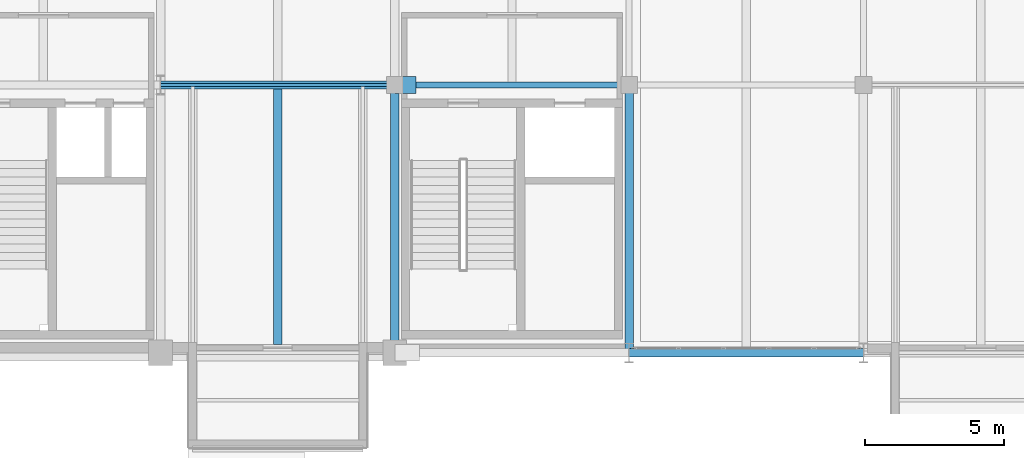
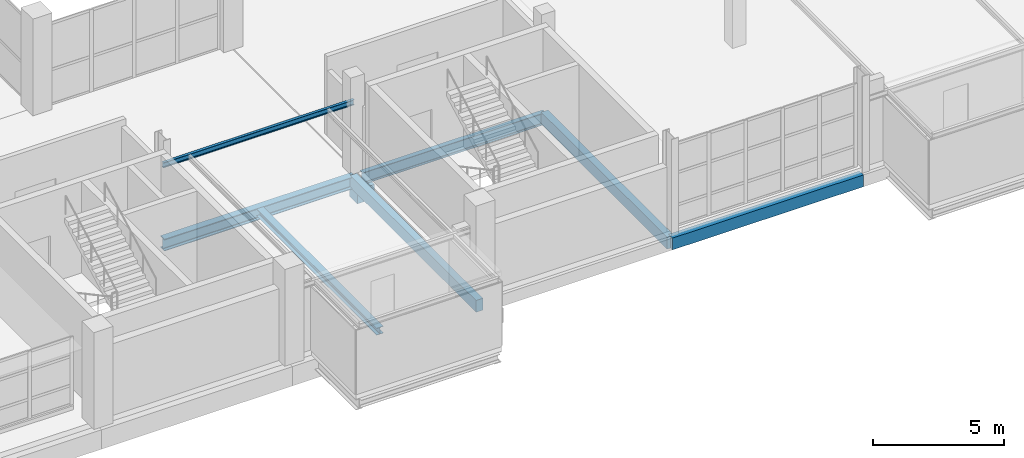
# One storey, part 33 of 113: 8 beams.
"""IFC4 building model written with IfcOpenShell, lengths in metres."""

import ifcopenshell
import ifcopenshell.guid

model = None  # the IFC model being written
_history = None  # IfcOwnerHistory: only IFC2X3 demands one
_inside = {}  # id of a spatial element -> (the spatial element, [elements in it])
_under = {}  # id of a project, library or spatial element -> (it, [spatial elements below it])
_declared = {}  # id of a project -> (the project, [libraries it declares])
_typed = {}  # id of a type object -> (the type object, [elements of that type])
_made_of = {}  # id of a material, layer set ... -> (it, [elements and type objects made of it])


def new_model(schema):
    """Start an empty IFC model of exactly this schema.

    Asked for "IFC4X3", IfcOpenShell would pick the latest addendum, in which some entities
    have other attributes; the version numbers below select the first issue.
    IFC2X3 requires an IfcOwnerHistory on every rooted entity: one is made here for all.
    """
    global model, _history
    if schema == "IFC4X3":
        model = ifcopenshell.file(schema_version=(4, 3, 0, 0))
    else:
        model = ifcopenshell.file(schema=schema)
    _inside.clear()
    _under.clear()
    _declared.clear()
    _typed.clear()
    _made_of.clear()
    _history = None
    if model.schema == "IFC2X3":
        org = make("IfcOrganization", Name="unknown")
        user = make(
            "IfcPersonAndOrganization",
            ThePerson=make("IfcPerson", FamilyName="unknown"),
            TheOrganization=org,
        )
        app = make(
            "IfcApplication",
            ApplicationDeveloper=org,
            Version="unknown",
            ApplicationFullName="unknown",
            ApplicationIdentifier="unknown",
        )
        _history = make(
            "IfcOwnerHistory",
            OwningUser=user,
            OwningApplication=app,
            ChangeAction="ADDED",
            CreationDate=0,
        )
    return model


def make(cls, **values):
    """One entity of the class cls with the attributes given. An attribute that is None is left unset."""
    return model.create_entity(
        cls, **{name: value for name, value in values.items() if value is not None}
    )


def rooted(cls, **values):
    """An entity with a GlobalId (a new one), such as an element, a storey or a relation."""
    return make(cls, GlobalId=ifcopenshell.guid.new(), OwnerHistory=_history, **values)


def si_unit(unit_type, name, prefix=None):
    """IfcSIUnit, for example si_unit("LENGTHUNIT", "METRE", prefix="MILLI")."""
    return make("IfcSIUnit", UnitType=unit_type, Prefix=prefix, Name=name)


def assignment(units):
    """IfcUnitAssignment: the units of a project."""
    return None if units is None else make("IfcUnitAssignment", Units=units)


def point(xyz):
    """IfcCartesianPoint."""
    return None if xyz is None else make("IfcCartesianPoint", Coordinates=xyz)


def direction(xyz):
    """IfcDirection."""
    return None if xyz is None else make("IfcDirection", DirectionRatios=xyz)


def frame(location, z_axis=None, x_axis=None):
    """IfcAxis2Placement3D, a coordinate frame: its origin and axes. An axis left out is left unset."""
    return make(
        "IfcAxis2Placement3D",
        Location=point(location),
        Axis=direction(z_axis),
        RefDirection=direction(x_axis),
    )


def frame_2d(location, x_axis=None):
    """IfcAxis2Placement2D, a coordinate frame in the plane: its origin and x axis."""
    return make(
        "IfcAxis2Placement2D", Location=point(location), RefDirection=direction(x_axis)
    )


def origin():
    """The frame at (0, 0, 0) with its axes left unset."""
    return frame((0.0, 0.0, 0.0))


def origin_2d():
    """The frame at (0, 0) in the plane with its x axis left unset."""
    return frame_2d((0.0, 0.0))


def place(relative_to, where):
    """IfcLocalPlacement: puts the frame where relative to a parent placement (None: the world)."""
    return make(
        "IfcLocalPlacement", PlacementRelTo=relative_to, RelativePlacement=where
    )


def context(
    kind, dimensions, precision=None, world=None, true_north=None, identifier=None
):
    """IfcGeometricRepresentationContext, for example the 3D "Model" context."""
    return make(
        "IfcGeometricRepresentationContext",
        ContextIdentifier=identifier,
        ContextType=kind,
        CoordinateSpaceDimension=dimensions,
        Precision=precision,
        WorldCoordinateSystem=world,
        TrueNorth=true_north,
    )


def subcontext(parent, identifier, kind, view, scale=None):
    """IfcGeometricRepresentationSubContext, for example "Body" below "Model"."""
    return make(
        "IfcGeometricRepresentationSubContext",
        ContextIdentifier=identifier,
        ContextType=kind,
        ParentContext=parent,
        TargetScale=scale,
        TargetView=view,
    )


def project(units=None, contexts=None):
    """IfcProject with its units and contexts."""
    return rooted(
        "IfcProject",
        Name="project",
        RepresentationContexts=contexts,
        UnitsInContext=assignment(units),
    )


def spatial(cls, under=None, at=None, **own):
    """A site, building, storey or space (cls), placed at a placement, below another one or the project."""
    s = rooted(cls, ObjectPlacement=at, **own)
    if under is not None:
        _under.setdefault(under.id(), (under, []))[1].append(s)
    return s


def profile(cls, at=None, kind="AREA", **sizes):
    """A parametric profile (cls). Its sizes go by their IFC names, for example OverallWidth=200.0."""
    return make(cls, ProfileType=kind, Position=at, **sizes)


def rectangle(**sizes):
    """IfcRectangleProfileDef."""
    return profile("IfcRectangleProfileDef", **sizes)


def i_section(**sizes):
    """IfcIShapeProfileDef."""
    return profile("IfcIShapeProfileDef", **sizes)


def extrude(swept, where, along, depth):
    """IfcExtrudedAreaSolid: the profile swept, set in the frame where, extruded along a direction by depth."""
    return make(
        "IfcExtrudedAreaSolid",
        SweptArea=swept,
        Position=where,
        ExtrudedDirection=direction(along),
        Depth=depth,
    )


def shape(context_of_items, identifier, shape_type, items):
    """IfcShapeRepresentation: the items that make up one representation, for example the "Body"."""
    return make(
        "IfcShapeRepresentation",
        ContextOfItems=context_of_items,
        RepresentationIdentifier=identifier,
        RepresentationType=shape_type,
        Items=items,
    )


def material(Name=None, Category=None):
    """IfcMaterial."""
    return make("IfcMaterial", Name=Name, Category=Category)


def material_profile(
    of_material, cross_section, Name=None, Category=None, Priority=None
):
    """IfcMaterialProfile: a cross section and its material."""
    return make(
        "IfcMaterialProfile",
        Name=Name,
        Material=of_material,
        Profile=cross_section,
        Priority=Priority,
        Category=Category,
    )


def profile_set(profiles, Name=None, composite=None):
    """IfcMaterialProfileSet."""
    return make(
        "IfcMaterialProfileSet",
        Name=Name,
        MaterialProfiles=profiles,
        CompositeProfile=composite,
    )


def made_of(thing, what):
    """Note that an element or type object is made of a material, layer set ...; save() writes the relation."""
    if what is not None:
        _made_of.setdefault(what.id(), (what, []))[1].append(thing)
    return thing


def type_object(cls, material=None, **own):
    """A type object (cls), such as IfcWallType, which elements share."""
    return made_of(rooted(cls, **own), material)


def element(
    cls,
    number,
    at=None,
    inside=None,
    cuts=None,
    type_object=None,
    material=None,
    context=None,
    identifier="Body",
    shape_type=None,
    held_by="IfcProductDefinitionShape",
    body=None,
    shapes=None,
    **own,
):
    """One element of the class cls, such as IfcWall. Its Tag is "e" and its number.

    at: its placement. inside: the storey or other place that contains it. cuts: it is an
    opening in that element (IfcRelVoidsElement). A single representation is given by context,
    identifier, shape_type and body (its items); several are given by shapes. held_by: the class
    of the entity that holds the representations. save() writes the other relations.
    """
    e = rooted(cls, Tag="e%d" % number, ObjectPlacement=at, **own)
    if body is not None:
        shapes = [shape(context, identifier, shape_type, body)]
    if shapes is not None:
        e.Representation = make(held_by, Representations=shapes)
    if inside is not None:
        _inside.setdefault(inside.id(), (inside, []))[1].append(e)
    if cuts is not None:
        rooted(
            "IfcRelVoidsElement", RelatingBuildingElement=cuts, RelatedOpeningElement=e
        )
    if type_object is not None:
        _typed.setdefault(type_object.id(), (type_object, []))[1].append(e)
    return made_of(e, material)


def aggregate(whole, parts):
    """IfcRelAggregates: a whole, such as a stair, and the parts it consists of."""
    return rooted("IfcRelAggregates", RelatingObject=whole, RelatedObjects=parts)


def save(model, path):
    """Write the relations noted so far, then the file.

    IfcRelAggregates (storeys below a building ...), IfcRelContainedInSpatialStructure (elements
    in a storey), IfcRelDefinesByType, IfcRelAssociatesMaterial and IfcRelDeclares: one each for
    every whole, place, type object, material and project.
    """
    for whole, parts in _under.values():
        aggregate(whole, parts)
    for where, things in _inside.values():
        rooted(
            "IfcRelContainedInSpatialStructure",
            RelatedElements=things,
            RelatingStructure=where,
        )
    for kind, things in _typed.values():
        rooted("IfcRelDefinesByType", RelatedObjects=things, RelatingType=kind)
    for what, things in _made_of.values():
        rooted("IfcRelAssociatesMaterial", RelatedObjects=things, RelatingMaterial=what)
    for by, libraries in _declared.values():
        rooted("IfcRelDeclares", RelatingContext=by, RelatedDefinitions=libraries)
    model.write(path)


model = new_model("IFC4")

# Units and contexts
model_context = context("Model", 3, precision=1e-05, world=origin(), true_north=direction((0.0, 1.0)))
body_context = subcontext(model_context, "Body", "Model", "MODEL_VIEW")
ifc_project = project(units=[si_unit("LENGTHUNIT", "METRE"), si_unit("AREAUNIT", "SQUARE_METRE"), si_unit("VOLUMEUNIT", "CUBIC_METRE"), si_unit("PLANEANGLEUNIT", "RADIAN"), si_unit("MASSUNIT", "GRAM", prefix="KILO")], contexts=[model_context])

# Site, building, storey
site_placement = place(None, origin())
site = spatial("IfcSite", under=ifc_project, at=site_placement, CompositionType="ELEMENT")
building_placement = place(site_placement, origin())
building = spatial("IfcBuilding", under=site, at=building_placement, Name="Veltarok Museum of Natural Sciences", CompositionType="ELEMENT")
storey_placement = place(building_placement, frame((0.0, 0.0, 8.39990234375)))
storey = spatial("IfcBuildingStorey", under=building, at=storey_placement, Name="L01", CompositionType="ELEMENT", Elevation=8.39990234375)

# Beams
ifc_material_1 = material(Name="Steel S355J2", Category="steel")
ifc_material_profile_1 = material_profile(ifc_material_1, i_section(OverallWidth=0.2099609375, OverallDepth=0.550048828125, WebThickness=0.010986328125, FlangeThickness=0.01708984375, FilletRadius=0.02392578125, at=origin_2d()), Name="IPE 550")
ifc_profile_set_1 = profile_set([ifc_material_profile_1], Name="Steel S355J2")
beam_type_1 = type_object("IfcBeamType", Name="Archive Heavy Girder IPE 550", PredefinedType="BEAM", material=ifc_profile_set_1)
beam_1_placement = place(storey_placement, frame((107.550048828125, 9.60009765625, -0.52490234375), z_axis=(1.0, 0.0, 0.0), x_axis=(0.0, 1.0, 0.0)))
element("IfcBeam", 1, at=beam_1_placement, inside=storey, type_object=beam_type_1, Name="Beam BM-G03 L01 13-14/B", PredefinedType="BEAM", context=body_context, shape_type="SweptSolid", body=[
    extrude(i_section(OverallWidth=0.2099609375, OverallDepth=0.550048828125, WebThickness=0.010986328125, FlangeThickness=0.01708984375, FilletRadius=0.02392578125, at=origin_2d()), origin(), (0.0, 0.0, 1.0), 8.050048828125),
])
ifc_material_profile_2 = material_profile(ifc_material_1, i_section(OverallWidth=0.1201171875, OverallDepth=0.239990234375, WebThickness=0.006103515625, FlangeThickness=0.009765625, FilletRadius=0.014892578125, at=origin_2d()), Name="IPE 240")
ifc_profile_set_2 = profile_set([ifc_material_profile_2], Name="Steel S355J2")
beam_type_2 = type_object("IfcBeamType", Name="Cabinet Box Secondary Joist IPE 240", PredefinedType="JOIST", material=ifc_profile_set_2)
beam_2_placement = place(storey_placement, frame((98.800048828125, 9.60009765625, 3.130126953125), z_axis=(1.0, 0.0, 0.0), x_axis=(0.0, 1.0, 0.0)))
element("IfcBeam", 2, at=beam_2_placement, inside=storey, type_object=beam_type_2, Name="Cabinet Roof Tie Beam DB-05-I", PredefinedType="JOIST", context=body_context, shape_type="SweptSolid", body=[
    extrude(i_section(OverallWidth=0.1201171875, OverallDepth=0.239990234375, WebThickness=0.006103515625, FlangeThickness=0.009765625, FilletRadius=0.014892578125, at=origin_2d()), origin(), (0.0, 0.0, 1.0), 8.39990234375),
])
ifc_material_2 = material(Name="Precast concrete C40/50", Category="concrete")
ifc_material_profile_3 = material_profile(ifc_material_2, rectangle(XDim=0.300048828125, YDim=0.550048828125, at=origin_2d()), Name="RC 300x550")
ifc_profile_set_3 = profile_set([ifc_material_profile_3], Name="Precast concrete C40/50")
beam_type_3 = type_object("IfcBeamType", Name="East Wing Precast Spandrel RC 300x550", PredefinedType="SPANDREL", material=ifc_profile_set_3)
beam_3_placement = place(storey_placement, frame((115.60009765625, 0.0, -0.52490234375), z_axis=(1.0, 0.0, 0.0), x_axis=(0.0, 1.0, 0.0)))
element("IfcBeam", 3, at=beam_3_placement, inside=storey, type_object=beam_type_3, Name="Beam BM-SP02 L01 14-15/A", PredefinedType="SPANDREL", context=body_context, shape_type="SweptSolid", body=[
    extrude(rectangle(XDim=0.300048828125, YDim=0.550048828125, at=origin_2d()), origin(), (0.0, 0.0, 1.0), 8.39990234375),
])
for number, where, z_axis, x_axis, name in (
    (4, (107.199951171875, 0.0, -0.52490234375), (0.0, 1.0, 0.0), (-1.0, 0.0, 0.0), "Beam BM-SP02 L01 13/A-B"),
    (5, (115.60009765625, 0.0, -0.52490234375), (0.0, 1.0, 0.0), (-1.0, 0.0, 0.0), "Beam BM-SP02 L01 14/A-B"),
):
    element("IfcBeam", number, at=place(storey_placement, frame(where, z_axis=z_axis, x_axis=x_axis)), inside=storey, type_object=beam_type_3, Name=name, PredefinedType="SPANDREL", context=body_context, shape_type="SweptSolid", body=[
        extrude(rectangle(XDim=0.300048828125, YDim=0.550048828125, at=origin_2d()), origin(), (0.0, 0.0, 1.0), 9.60009765625),
    ])
ifc_material_profile_4 = material_profile(ifc_material_1, i_section(OverallWidth=0.300048828125, OverallDepth=0.330078125, WebThickness=0.009521484375, FlangeThickness=0.0166015625, FilletRadius=0.027099609375, at=origin_2d()), Name="HEA 340")
ifc_profile_set_4 = profile_set([ifc_material_profile_4], Name="Steel S355J2")
beam_type_4 = type_object("IfcBeamType", Name="Exhibition Floor Joist HEA 340", PredefinedType="JOIST", material=ifc_profile_set_4)
beam_4_placement = place(storey_placement, frame((103.0, 0.298095703125, -0.414794921875), z_axis=(0.0, 1.0, 0.0), x_axis=(-1.0, 0.0, 0.0)))
element("IfcBeam", 6, at=beam_4_placement, inside=storey, type_object=beam_type_4, Name="Secondary Joist BM-J08 L01 12-13/A-B.1", PredefinedType="JOIST", context=body_context, shape_type="SweptSolid", body=[
    extrude(i_section(OverallWidth=0.300048828125, OverallDepth=0.330078125, WebThickness=0.009521484375, FlangeThickness=0.0166015625, FilletRadius=0.027099609375, at=origin_2d()), origin(), (0.0, 0.0, 1.0), 9.15380859375),
])
ifc_material_profile_5 = material_profile(ifc_material_1, i_section(OverallWidth=0.300048828125, OverallDepth=0.550048828125, WebThickness=0.014892578125, FlangeThickness=0.029052734375, FilletRadius=0.027099609375, at=origin_2d()), Name="HEB 550")
ifc_profile_set_5 = profile_set([ifc_material_profile_5], Name="Steel S355J2")
beam_type_5 = type_object("IfcBeamType", Name="Gallery Girder HEB 550", PredefinedType="BEAM", material=ifc_profile_set_5)
beam_5_placement = place(storey_placement, frame((98.800048828125, 9.60009765625, -0.52490234375), z_axis=(1.0, 0.0, 0.0), x_axis=(0.0, 1.0, 0.0)))
element("IfcBeam", 7, at=beam_5_placement, inside=storey, type_object=beam_type_5, Name="Beam BM-G10 L01 12-13/B", PredefinedType="BEAM", context=body_context, shape_type="SweptSolid", body=[
    extrude(i_section(OverallWidth=0.300048828125, OverallDepth=0.550048828125, WebThickness=0.014892578125, FlangeThickness=0.029052734375, FilletRadius=0.027099609375, at=origin_2d()), origin(), (0.0, 0.0, 1.0), 8.39990234375),
])
ifc_material_3 = material(Name="Concrete C40/50", Category="concrete")
ifc_material_profile_6 = material_profile(ifc_material_3, rectangle(XDim=0.60009765625, YDim=0.64990234375, at=origin_2d()), Name="RC 600x650")
ifc_profile_set_6 = profile_set([ifc_material_profile_6], Name="Concrete C40/50")
beam_type_6 = type_object("IfcBeamType", Name="Movement Joint Sliding Corbel RC 600x650", PredefinedType="BEAM", material=ifc_profile_set_6)
beam_6_placement = place(storey_placement, frame((107.199951171875, 9.60009765625, -1.125), z_axis=(1.0, 0.0, 0.0), x_axis=(0.0, 1.0, 0.0)))
element("IfcBeam", 8, at=beam_6_placement, inside=storey, type_object=beam_type_6, Name="Movement Joint Corbel L01 13/B", PredefinedType="BEAM", context=body_context, shape_type="SweptSolid", body=[
    extrude(rectangle(XDim=0.60009765625, YDim=0.64990234375, at=origin_2d()), origin(), (0.0, 0.0, 1.0), 0.760009765625),
])

save(model, "model.ifc")
